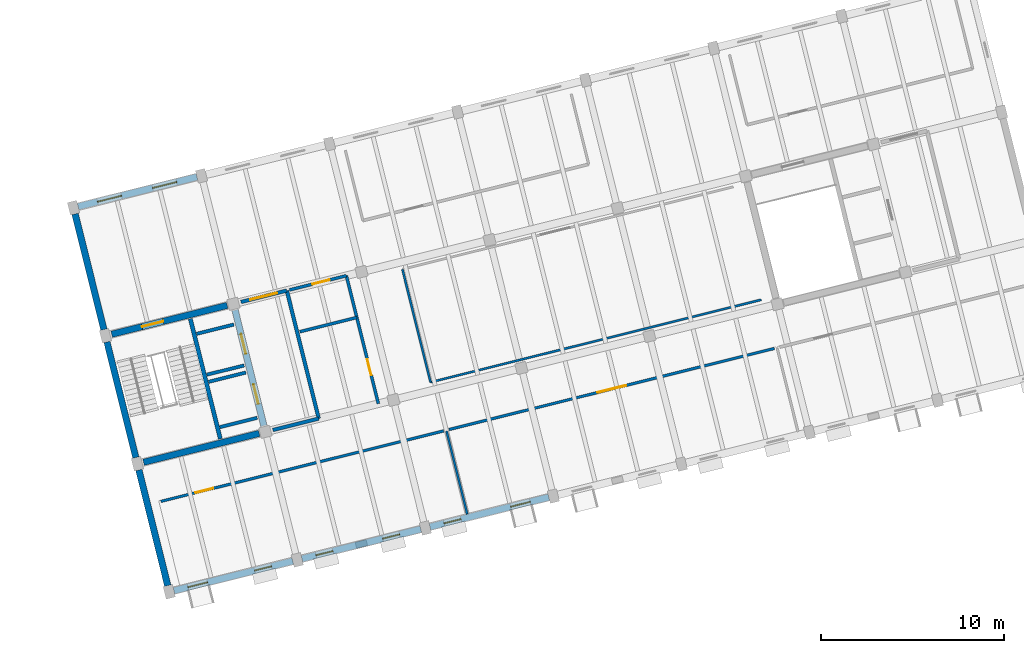
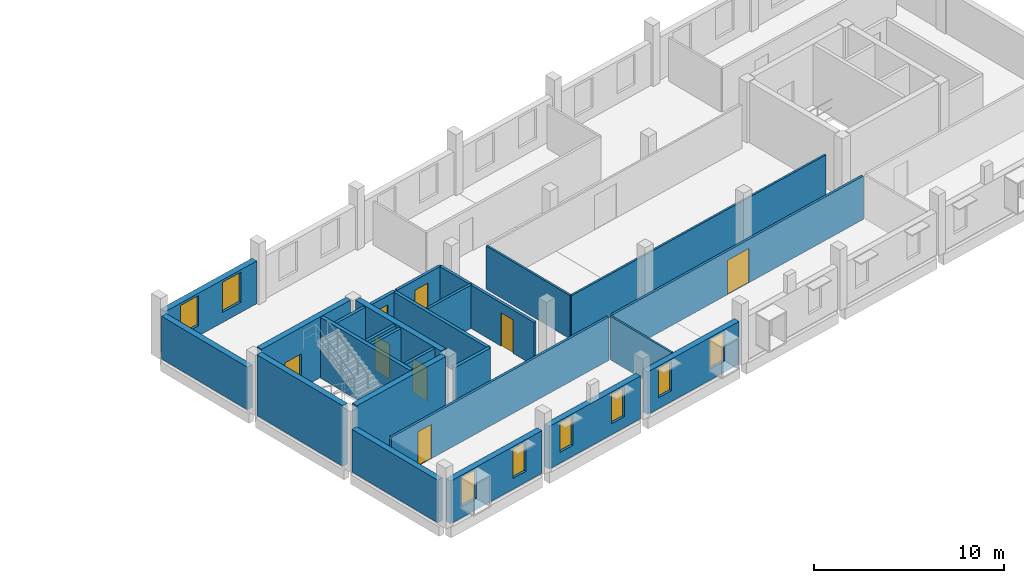
# One storey, part 6 of 14: 26 walls, 8 doors, 8 windows, 16 openings.
"""IFC4 building model written with IfcOpenShell, lengths in metres."""

from ifc_helpers import new_model, si_unit, direction, frame, frame_2d, origin, place, context, subcontext, project, spatial, rectangle, extrude, material, layer, layer_set, type_object, element, fill, save


model = new_model("IFC4")

# Units and contexts
model_context = context("Model", 3, precision=1e-05, world=origin(), true_north=direction((0.0, 1.0)))
body_context = subcontext(model_context, "Body", "Model", "MODEL_VIEW")
ifc_project = project(units=[si_unit("LENGTHUNIT", "METRE"), si_unit("AREAUNIT", "SQUARE_METRE"), si_unit("VOLUMEUNIT", "CUBIC_METRE"), si_unit("PLANEANGLEUNIT", "RADIAN"), si_unit("MASSUNIT", "GRAM", prefix="KILO")], contexts=[model_context])

# Site, building, storey
site_placement = place(None, origin())
site = spatial("IfcSite", under=ifc_project, at=site_placement, CompositionType="ELEMENT")
building_placement = place(site_placement, origin())
building = spatial("IfcBuilding", under=site, at=building_placement, Name="Qiaolan Assembly House", CompositionType="ELEMENT")
storey_placement = place(building_placement, frame((0.0, 0.0, 22.5)))
storey = spatial("IfcBuildingStorey", under=building, at=storey_placement, Name="L05", CompositionType="ELEMENT", Elevation=22.5)

# Wall
ifc_material_1 = material(Name="Concrete C40/50", Category="concrete")
ifc_layer_1 = layer(ifc_material_1, 0.35009765625)
ifc_layer_set_1 = layer_set([ifc_layer_1], Name="Concrete C40/50")
wall_type_1 = type_object("IfcWallType", Name="WAL-CORE-350", PredefinedType="SHEAR", material=ifc_layer_set_1)
wall_1_placement = place(storey_placement, frame((41.583984375, 8.812744140625, 0.0), z_axis=(0.0, 0.0, 1.0), x_axis=(0.970294759049, 0.241925774902, 0.0)))
element("IfcWall", 1, at=wall_1_placement, inside=storey, type_object=wall_type_1, Name="CW-350 shear core wall CORE-C S L05", PredefinedType="SHEAR", context=body_context, shape_type="SweptSolid", body=[
    extrude(rectangle(XDim=6.5, YDim=0.35009765625, at=frame_2d((3.25, 0.0))), origin(), (0.0, 0.0, 1.0), 3.89990234375),
])

# Wall, openings, doors
wall_2_placement = place(storey_placement, frame((48.145751953125, 10.809326171875, 0.0), z_axis=(0.0, 0.0, 1.0), x_axis=(-0.241925774902, 0.970294759049, 0.0)))
wall_2 = element("IfcWall", 2, at=wall_2_placement, inside=storey, type_object=wall_type_1, Name="CW-350 shear core wall CORE-C E L05", PredefinedType="SHEAR", context=body_context, shape_type="SweptSolid", body=[
    extrude(rectangle(XDim=6.5, YDim=0.35009765625, at=frame_2d((3.25, 0.0))), origin(), (0.0, 0.0, 1.0), 3.89990234375),
])
opening_1_placement = place(wall_2_placement, frame((1.22509765625, 0.0, 0.0)))
opening_1 = element("IfcOpeningElement", 3, at=opening_1_placement, cuts=wall_2, Name="Opening LD-051", PredefinedType="OPENING", context=body_context, shape_type="SweptSolid", body=[
    extrude(rectangle(XDim=1.10009765625, YDim=2.199951171875, at=frame_2d((0.550048828125, 1.10009765625))), frame((0.0, 0.18505859375, 0.0), z_axis=(0.0, -1.0, 0.0), x_axis=(1.0, 0.0, 0.0)), (0.0, 0.0, 1.0), 0.3701171875),
])
opening_2_placement = place(wall_2_placement, frame((4.050048828125, 0.0, 0.0)))
opening_2 = element("IfcOpeningElement", 4, at=opening_2_placement, cuts=wall_2, Name="Opening LD-057", PredefinedType="OPENING", context=body_context, shape_type="SweptSolid", body=[
    extrude(rectangle(XDim=1.10009765625, YDim=2.199951171875, at=frame_2d((0.550048828125, 1.10009765625))), frame((0.0, 0.18505859375, 0.0), z_axis=(0.0, -1.0, 0.0), x_axis=(1.0, 0.0, 0.0)), (0.0, 0.0, 1.0), 0.3701171875),
])
ifc_material_2 = material(Name="Anodised bronze aluminium", Category="aluminium")
door_type_1 = type_object("IfcDoorType", Name="DOR-LIFT-LD1100", OperationType="SLIDING_TO_LEFT", PredefinedType="DOOR", material=ifc_material_2)
door_1_placement = place(opening_1_placement, origin())
door_1 = element("IfcDoor", 5, at=door_1_placement, inside=storey, type_object=door_type_1, Name="Lift landing door LD-051 (LF-06 L05)", OperationType="SLIDING_TO_LEFT", OverallHeight=2.199951171875, OverallWidth=1.10009765625, PredefinedType="DOOR", context=body_context, shape_type="SweptSolid", body=[
    extrude(rectangle(XDim=1.10009765625, YDim=2.199951171875, at=frame_2d((0.550048828125, 1.10009765625))), frame((0.0, 0.02490234375, 0.0), z_axis=(0.0, -1.0, 0.0), x_axis=(1.0, 0.0, 0.0)), (0.0, 0.0, 1.0), 0.050048828125),
])
fill(opening_1, door_1)
door_2_placement = place(opening_2_placement, origin())
door_2 = element("IfcDoor", 6, at=door_2_placement, inside=storey, type_object=door_type_1, Name="Lift landing door LD-057 (LF-07 L05)", OperationType="SLIDING_TO_LEFT", OverallHeight=2.199951171875, OverallWidth=1.10009765625, PredefinedType="DOOR", context=body_context, shape_type="SweptSolid", body=[
    extrude(rectangle(XDim=1.10009765625, YDim=2.199951171875, at=frame_2d((0.550048828125, 1.10009765625))), frame((0.0, 0.02490234375, 0.0), z_axis=(0.0, -1.0, 0.0), x_axis=(1.0, 0.0, 0.0)), (0.0, 0.0, 1.0), 0.050048828125),
])
fill(opening_2, door_2)

# Wall, opening, door
wall_3_placement = place(storey_placement, frame((46.14892578125, 17.371337890625, 0.0), z_axis=(0.0, 0.0, 1.0), x_axis=(-0.970294759049, -0.241925774902, 0.0)))
wall_3 = element("IfcWall", 7, at=wall_3_placement, inside=storey, type_object=wall_type_1, Name="CW-350 shear core wall CORE-C N L05", PredefinedType="SHEAR", context=body_context, shape_type="SweptSolid", body=[
    extrude(rectangle(XDim=6.5, YDim=0.35009765625, at=frame_2d((3.25, 0.0))), origin(), (0.0, 0.0, 1.0), 3.89990234375),
])
opening_3_placement = place(wall_3_placement, frame((3.60009765625, 0.0, 0.0)))
opening_3 = element("IfcOpeningElement", 8, at=opening_3_placement, cuts=wall_3, Name="Opening FD-091", PredefinedType="OPENING", context=body_context, shape_type="SweptSolid", body=[
    extrude(rectangle(XDim=1.199951171875, YDim=2.199951171875, at=frame_2d((0.60009765625, 1.10009765625))), frame((0.0, 0.18505859375, 0.0), z_axis=(0.0, -1.0, 0.0), x_axis=(1.0, 0.0, 0.0)), (0.0, 0.0, 1.0), 0.3701171875),
])
ifc_material_3 = material(Name="Steel Q355B", Category="steel")
door_type_2 = type_object("IfcDoorType", Name="DOR-FIRE-FD90-1200", OperationType="NOTDEFINED", PredefinedType="DOOR", material=ifc_material_3)
door_3_placement = place(opening_3_placement, frame((1.199951171875, 0.0, 0.0), z_axis=(0.0, 0.0, 1.0), x_axis=(-1.0, 0.0, 0.0)))
door_3 = element("IfcDoor", 9, at=door_3_placement, inside=storey, type_object=door_type_2, Name="Stairwell fire door FD-091 (CORE-C L05)", OperationType="SINGLE_SWING_RIGHT", OverallHeight=2.199951171875, OverallWidth=1.199951171875, PredefinedType="DOOR", context=body_context, shape_type="SweptSolid", body=[
    extrude(rectangle(XDim=1.199951171875, YDim=2.199951171875, at=frame_2d((0.60009765625, 1.10009765625))), frame((0.0, 0.02490234375, 0.0), z_axis=(0.0, -1.0, 0.0), x_axis=(1.0, 0.0, 0.0)), (0.0, 0.0, 1.0), 0.050048828125),
])
fill(opening_3, door_3)

# Wall
wall_4_placement = place(storey_placement, frame((39.587158203125, 15.37451171875, 0.0), z_axis=(0.0, 0.0, 1.0), x_axis=(0.241925774902, -0.970294759049, 0.0)))
element("IfcWall", 10, at=wall_4_placement, inside=storey, type_object=wall_type_1, Name="CW-350 shear core wall CORE-C W L05", PredefinedType="SHEAR", context=body_context, shape_type="SweptSolid", body=[
    extrude(rectangle(XDim=6.5, YDim=0.35009765625, at=frame_2d((3.25, 0.0))), origin(), (0.0, 0.0, 1.0), 3.89990234375),
])

# Wall, openings, windows
ifc_material_4 = material(Name="Honed pale limestone", Category="masonry")
ifc_layer_2 = layer(ifc_material_4, 0.360107421875)
ifc_layer_set_2 = layer_set([ifc_layer_2], Name="Honed pale limestone")
wall_type_2 = type_object("IfcWallType", Name="WAL-EXT-LIMESTONE-360", PredefinedType="SOLIDWALL", material=ifc_layer_set_2)
wall_5_placement = place(storey_placement, frame((43.236572265625, 1.80419921875, 0.0), z_axis=(0.0, 0.0, 1.0), x_axis=(0.970297004388, 0.241916769314, 0.0)))
wall_5 = element("IfcWall", 11, at=wall_5_placement, inside=storey, type_object=wall_type_2, Name="EW-360 SE South boulevard wall L05 bay 1", PredefinedType="SOLIDWALL", context=body_context, shape_type="SweptSolid", body=[
    extrude(rectangle(XDim=6.683837890625, YDim=0.360107421875, at=frame_2d((3.341796875, 0.0))), origin(), (0.0, 0.0, 1.0), 2.739990234375),
])
opening_4_placement = place(wall_5_placement, frame((0.7919921875, 0.0, 0.699951171875)))
opening_4 = element("IfcOpeningElement", 12, at=opening_4_placement, cuts=wall_5, Name="Opening WN-370", PredefinedType="OPENING", context=body_context, shape_type="SweptSolid", body=[
    extrude(rectangle(XDim=1.10009765625, YDim=1.889892578125, at=frame_2d((0.550048828125, 0.94482421875))), frame((0.0, 0.18994140625, 0.0), z_axis=(0.0, -1.0, 0.0), x_axis=(1.0, 0.0, 0.0)), (0.0, 0.0, 1.0), 0.380126953125),
])
opening_5_placement = place(wall_5_placement, frame((4.5419921875, 0.0, 0.699951171875)))
opening_5 = element("IfcOpeningElement", 13, at=opening_5_placement, cuts=wall_5, Name="Opening WN-371", PredefinedType="OPENING", context=body_context, shape_type="SweptSolid", body=[
    extrude(rectangle(XDim=0.949951171875, YDim=1.889892578125, at=frame_2d((0.47509765625, 0.94482421875))), frame((0.0, 0.18994140625, 0.0), z_axis=(0.0, -1.0, 0.0), x_axis=(1.0, 0.0, 0.0)), (0.0, 0.0, 1.0), 0.380126953125),
])
ifc_material_5 = material(Name="Low-E double insulating glass", Category="glass")
window_type_1 = type_object("IfcWindowType", Name="WIN-BOX-1100x2350", PartitioningType="SINGLE_PANEL", PredefinedType="WINDOW", material=ifc_material_5)
window_1_placement = place(opening_4_placement, origin())
window_1 = element("IfcWindow", 14, at=window_1_placement, inside=storey, type_object=window_type_1, Name="WN-T11 splayed window WN-370", OverallHeight=1.889892578125, OverallWidth=1.10009765625, PartitioningType="SINGLE_PANEL", PredefinedType="WINDOW", context=body_context, shape_type="SweptSolid", body=[
    extrude(rectangle(XDim=1.10009765625, YDim=1.889892578125, at=frame_2d((0.550048828125, 0.94482421875))), frame((0.0, 0.030029296875, 0.0), z_axis=(0.0, -1.0, 0.0), x_axis=(1.0, 0.0, 0.0)), (0.0, 0.0, 1.0), 0.06005859375),
])
fill(opening_4, window_1)
window_type_2 = type_object("IfcWindowType", Name="WIN-PUNCH-950x2150", PartitioningType="SINGLE_PANEL", PredefinedType="WINDOW", material=ifc_material_5)
window_2_placement = place(opening_5_placement, origin())
window_2 = element("IfcWindow", 15, at=window_2_placement, inside=storey, type_object=window_type_2, Name="WN-T14 splayed window WN-371", OverallHeight=1.889892578125, OverallWidth=0.949951171875, PartitioningType="SINGLE_PANEL", PredefinedType="WINDOW", context=body_context, shape_type="SweptSolid", body=[
    extrude(rectangle(XDim=0.949951171875, YDim=1.889892578125, at=frame_2d((0.47509765625, 0.94482421875))), frame((0.0, 0.030029296875, 0.0), z_axis=(0.0, -1.0, 0.0), x_axis=(1.0, 0.0, 0.0)), (0.0, 0.0, 1.0), 0.06005859375),
])
fill(opening_5, window_2)

wall_6_placement = place(storey_placement, frame((50.22265625, 3.546142578125, 0.0), z_axis=(0.0, 0.0, 1.0), x_axis=(0.970297004388, 0.241916769314, 0.0)))
wall_6 = element("IfcWall", 16, at=wall_6_placement, inside=storey, type_object=wall_type_2, Name="EW-360 SE South boulevard wall L05 bay 2", PredefinedType="SOLIDWALL", context=body_context, shape_type="SweptSolid", body=[
    extrude(rectangle(XDim=6.683837890625, YDim=0.360107421875, at=frame_2d((3.341796875, 0.0))), origin(), (0.0, 0.0, 1.0), 2.739990234375),
])
opening_6_placement = place(wall_6_placement, frame((0.7919921875, 0.0, 0.699951171875)))
opening_6 = element("IfcOpeningElement", 17, at=opening_6_placement, cuts=wall_6, Name="Opening WN-372", PredefinedType="OPENING", context=body_context, shape_type="SweptSolid", body=[
    extrude(rectangle(XDim=0.949951171875, YDim=1.889892578125, at=frame_2d((0.47509765625, 0.94482421875))), frame((0.0, 0.18994140625, 0.0), z_axis=(0.0, -1.0, 0.0), x_axis=(1.0, 0.0, 0.0)), (0.0, 0.0, 1.0), 0.380126953125),
])
opening_7_placement = place(wall_6_placement, frame((4.5419921875, 0.0, 0.699951171875)))
opening_7 = element("IfcOpeningElement", 18, at=opening_7_placement, cuts=wall_6, Name="Opening WN-373", PredefinedType="OPENING", context=body_context, shape_type="SweptSolid", body=[
    extrude(rectangle(XDim=0.949951171875, YDim=1.889892578125, at=frame_2d((0.47509765625, 0.94482421875))), frame((0.0, 0.18994140625, 0.0), z_axis=(0.0, -1.0, 0.0), x_axis=(1.0, 0.0, 0.0)), (0.0, 0.0, 1.0), 0.380126953125),
])
window_3_placement = place(opening_6_placement, origin())
window_3 = element("IfcWindow", 19, at=window_3_placement, inside=storey, type_object=window_type_2, Name="WN-T14 splayed window WN-372", OverallHeight=1.889892578125, OverallWidth=0.949951171875, PartitioningType="SINGLE_PANEL", PredefinedType="WINDOW", context=body_context, shape_type="SweptSolid", body=[
    extrude(rectangle(XDim=0.949951171875, YDim=1.889892578125, at=frame_2d((0.47509765625, 0.94482421875))), frame((0.0, 0.030029296875, 0.0), z_axis=(0.0, -1.0, 0.0), x_axis=(1.0, 0.0, 0.0)), (0.0, 0.0, 1.0), 0.06005859375),
])
fill(opening_6, window_3)
window_4_placement = place(opening_7_placement, origin())
window_4 = element("IfcWindow", 20, at=window_4_placement, inside=storey, type_object=window_type_2, Name="WN-T14 splayed window WN-373", OverallHeight=1.889892578125, OverallWidth=0.949951171875, PartitioningType="SINGLE_PANEL", PredefinedType="WINDOW", context=body_context, shape_type="SweptSolid", body=[
    extrude(rectangle(XDim=0.949951171875, YDim=1.889892578125, at=frame_2d((0.47509765625, 0.94482421875))), frame((0.0, 0.030029296875, 0.0), z_axis=(0.0, -1.0, 0.0), x_axis=(1.0, 0.0, 0.0)), (0.0, 0.0, 1.0), 0.06005859375),
])
fill(opening_7, window_4)

wall_7_placement = place(storey_placement, frame((57.208740234375, 5.287841796875, 0.0), z_axis=(0.0, 0.0, 1.0), x_axis=(0.970288429886, 0.241951157942, 0.0)))
wall_7 = element("IfcWall", 21, at=wall_7_placement, inside=storey, type_object=wall_type_2, Name="EW-360 SE South boulevard wall L05 bay 3", PredefinedType="SOLIDWALL", context=body_context, shape_type="SweptSolid", body=[
    extrude(rectangle(XDim=6.683837890625, YDim=0.360107421875, at=frame_2d((3.341796875, 0.0))), origin(), (0.0, 0.0, 1.0), 2.739990234375),
])
opening_8_placement = place(wall_7_placement, frame((0.7919921875, 0.0, 0.699951171875)))
opening_8 = element("IfcOpeningElement", 22, at=opening_8_placement, cuts=wall_7, Name="Opening WN-374", PredefinedType="OPENING", context=body_context, shape_type="SweptSolid", body=[
    extrude(rectangle(XDim=0.949951171875, YDim=1.889892578125, at=frame_2d((0.47509765625, 0.94482421875))), frame((0.0, 0.18994140625, 0.0), z_axis=(0.0, -1.0, 0.0), x_axis=(1.0, 0.0, 0.0)), (0.0, 0.0, 1.0), 0.380126953125),
])
opening_9_placement = place(wall_7_placement, frame((4.5419921875, 0.0, 0.699951171875)))
opening_9 = element("IfcOpeningElement", 23, at=opening_9_placement, cuts=wall_7, Name="Opening WN-375", PredefinedType="OPENING", context=body_context, shape_type="SweptSolid", body=[
    extrude(rectangle(XDim=1.10009765625, YDim=1.889892578125, at=frame_2d((0.550048828125, 0.94482421875))), frame((0.0, 0.18994140625, 0.0), z_axis=(0.0, -1.0, 0.0), x_axis=(1.0, 0.0, 0.0)), (0.0, 0.0, 1.0), 0.380126953125),
])
window_5_placement = place(opening_9_placement, origin())
window_5 = element("IfcWindow", 24, at=window_5_placement, inside=storey, type_object=window_type_1, Name="WN-T11 splayed window WN-375", OverallHeight=1.889892578125, OverallWidth=1.10009765625, PartitioningType="SINGLE_PANEL", PredefinedType="WINDOW", context=body_context, shape_type="SweptSolid", body=[
    extrude(rectangle(XDim=1.10009765625, YDim=1.889892578125, at=frame_2d((0.550048828125, 0.94482421875))), frame((0.0, 0.030029296875, 0.0), z_axis=(0.0, -1.0, 0.0), x_axis=(1.0, 0.0, 0.0)), (0.0, 0.0, 1.0), 0.06005859375),
])
fill(opening_9, window_5)
window_6_placement = place(opening_8_placement, origin())
window_6 = element("IfcWindow", 25, at=window_6_placement, inside=storey, type_object=window_type_2, Name="WN-T14 splayed window WN-374", OverallHeight=1.889892578125, OverallWidth=0.949951171875, PartitioningType="SINGLE_PANEL", PredefinedType="WINDOW", context=body_context, shape_type="SweptSolid", body=[
    extrude(rectangle(XDim=0.949951171875, YDim=1.889892578125, at=frame_2d((0.47509765625, 0.94482421875))), frame((0.0, 0.030029296875, 0.0), z_axis=(0.0, -1.0, 0.0), x_axis=(1.0, 0.0, 0.0)), (0.0, 0.0, 1.0), 0.06005859375),
])
fill(opening_8, window_6)

wall_8_placement = place(storey_placement, frame((44.496337890625, 24.379638671875, 0.0), z_axis=(0.0, 0.0, 1.0), x_axis=(-0.970297004388, -0.241916769314, 0.0)))
wall_8 = element("IfcWall", 26, at=wall_8_placement, inside=storey, type_object=wall_type_2, Name="EW-360 SE North court wall L05 bay 1", PredefinedType="SOLIDWALL", context=body_context, shape_type="SweptSolid", body=[
    extrude(rectangle(XDim=6.683837890625, YDim=0.360107421875, at=frame_2d((3.341796875, 0.0))), origin(), (0.0, 0.0, 1.0), 2.739990234375),
])
opening_10_placement = place(wall_8_placement, frame((1.14208984375, 0.0, 0.64990234375)))
opening_10 = element("IfcOpeningElement", 27, at=opening_10_placement, cuts=wall_8, Name="Opening WN-384", PredefinedType="OPENING", context=body_context, shape_type="SweptSolid", body=[
    extrude(rectangle(XDim=1.35009765625, YDim=1.93994140625, at=frame_2d((0.675048828125, 0.969970703125))), frame((0.0, 0.18994140625, 0.0), z_axis=(0.0, -1.0, 0.0), x_axis=(1.0, 0.0, 0.0)), (0.0, 0.0, 1.0), 0.380126953125),
])
opening_11_placement = place(wall_8_placement, frame((4.241943359375, 0.0, 0.64990234375)))
opening_11 = element("IfcOpeningElement", 28, at=opening_11_placement, cuts=wall_8, Name="Opening WN-385", PredefinedType="OPENING", context=body_context, shape_type="SweptSolid", body=[
    extrude(rectangle(XDim=1.35009765625, YDim=1.93994140625, at=frame_2d((0.675048828125, 0.969970703125))), frame((0.0, 0.18994140625, 0.0), z_axis=(0.0, -1.0, 0.0), x_axis=(1.0, 0.0, 0.0)), (0.0, 0.0, 1.0), 0.380126953125),
])
window_type_3 = type_object("IfcWindowType", Name="WIN-COURT-1350x2150", PartitioningType="DOUBLE_PANEL_VERTICAL", PredefinedType="WINDOW", material=ifc_material_5)
window_7_placement = place(opening_10_placement, origin())
window_7 = element("IfcWindow", 29, at=window_7_placement, inside=storey, type_object=window_type_3, Name="SE court window WN-384", OverallHeight=1.93994140625, OverallWidth=1.35009765625, PartitioningType="DOUBLE_PANEL_VERTICAL", PredefinedType="WINDOW", context=body_context, shape_type="SweptSolid", body=[
    extrude(rectangle(XDim=1.35009765625, YDim=1.93994140625, at=frame_2d((0.675048828125, 0.969970703125))), frame((0.0, 0.030029296875, 0.0), z_axis=(0.0, -1.0, 0.0), x_axis=(1.0, 0.0, 0.0)), (0.0, 0.0, 1.0), 0.06005859375),
])
fill(opening_10, window_7)
window_8_placement = place(opening_11_placement, origin())
window_8 = element("IfcWindow", 30, at=window_8_placement, inside=storey, type_object=window_type_3, Name="SE court window WN-385", OverallHeight=1.93994140625, OverallWidth=1.35009765625, PartitioningType="DOUBLE_PANEL_VERTICAL", PredefinedType="WINDOW", context=body_context, shape_type="SweptSolid", body=[
    extrude(rectangle(XDim=1.35009765625, YDim=1.93994140625, at=frame_2d((0.675048828125, 0.969970703125))), frame((0.0, 0.030029296875, 0.0), z_axis=(0.0, -1.0, 0.0), x_axis=(1.0, 0.0, 0.0)), (0.0, 0.0, 1.0), 0.06005859375),
])
fill(opening_11, window_8)

# Walls
for number, where, z_axis, x_axis, name in (
    (31, (41.328369140625, 8.390380859375, 0.0), (0.0, 0.0, 1.0), (0.241926152475, -0.970294664908, 0.0), "SE West wall L05-1"),
    (32, (37.8447265625, 22.362548828125, 0.0), (0.0, 0.0, 1.0), (0.241926152475, -0.970294664908, 0.0), "SE West wall L05-3"),
):
    element("IfcWall", number, at=place(storey_placement, frame(where, z_axis=z_axis, x_axis=x_axis)), inside=storey, type_object=wall_type_2, Name=name, PredefinedType="SOLIDWALL", context=body_context, shape_type="SweptSolid", body=[
        extrude(rectangle(XDim=6.50390625, YDim=0.360107421875, at=frame_2d((3.251953125, 0.0))), origin(), (0.0, 0.0, 1.0), 2.739990234375),
    ])
ifc_material_6 = material(Name="Concrete C35/45", Category="concrete")
ifc_layer_3 = layer(ifc_material_6, 0.199951171875)
ifc_layer_set_3 = layer_set([ifc_layer_3], Name="Concrete C35/45")
wall_type_3 = type_object("IfcWallType", Name="WAL-LOBBY-200", PredefinedType="PARTITIONING", material=ifc_layer_set_3)
wall_9_placement = place(storey_placement, frame((51.141357421875, 11.195556640625, 0.0), z_axis=(0.0, 0.0, 1.0), x_axis=(-0.241937193493, 0.970291911955, 0.0)))
element("IfcWall", 33, at=wall_9_placement, inside=storey, type_object=wall_type_3, Name="Firefighting lift lobby east wall CORE-C L05", PredefinedType="PARTITIONING", context=body_context, shape_type="SweptSolid", body=[
    extrude(rectangle(XDim=7.199951171875, YDim=0.199951171875, at=frame_2d((3.60009765625, 0.0))), origin(), (0.0, 0.0, 1.0), 2.780029296875),
])
wall_10_placement = place(storey_placement, frame((48.637939453125, 10.571533203125, 0.0), z_axis=(0.0, 0.0, 1.0), x_axis=(0.970309259708, 0.2418676095, 0.0)))
element("IfcWall", 34, at=wall_10_placement, inside=storey, type_object=wall_type_3, Name="Firefighting lift lobby south wall CORE-C L05", PredefinedType="PARTITIONING", context=body_context, shape_type="SweptSolid", body=[
    extrude(rectangle(XDim=2.580078125, YDim=0.199951171875, at=frame_2d((1.2900390625, 0.0))), origin(), (0.0, 0.0, 1.0), 2.780029296875),
])

# Wall, opening, door
wall_11_placement = place(storey_placement, frame((49.3994140625, 18.181640625, 0.0), z_axis=(0.0, 0.0, 1.0), x_axis=(-0.970309259708, -0.2418676095, 0.0)))
wall_11 = element("IfcWall", 35, at=wall_11_placement, inside=storey, type_object=wall_type_3, Name="Firefighting lift lobby north wall CORE-C L05", PredefinedType="PARTITIONING", context=body_context, shape_type="SweptSolid", body=[
    extrude(rectangle(XDim=2.580078125, YDim=0.199951171875, at=frame_2d((1.2900390625, 0.0))), origin(), (0.0, 0.0, 1.0), 2.780029296875),
])
opening_12_placement = place(wall_11_placement, frame((0.550048828125, 0.0, 0.0)))
opening_12 = element("IfcOpeningElement", 36, at=opening_12_placement, cuts=wall_11, Name="Opening FD-092", PredefinedType="OPENING", context=body_context, shape_type="SweptSolid", body=[
    extrude(rectangle(XDim=1.5, YDim=2.199951171875, at=frame_2d((0.75, 1.10009765625))), frame((0.0, 0.10986328125, 0.0), z_axis=(0.0, -1.0, 0.0), x_axis=(1.0, 0.0, 0.0)), (0.0, 0.0, 1.0), 0.219970703125),
])
ifc_material_7 = material(Name="Acoustic oak panelling")
door_type_3 = type_object("IfcDoorType", Name="DOR-LOBBY-FD60-1500", OperationType="DOUBLE_DOOR_SINGLE_SWING", PredefinedType="DOOR", material=ifc_material_7)
door_4_placement = place(opening_12_placement, frame((1.5, 0.0, 0.0), z_axis=(0.0, 0.0, 1.0), x_axis=(-1.0, 0.0, 0.0)))
door_4 = element("IfcDoor", 37, at=door_4_placement, inside=storey, type_object=door_type_3, Name="Lobby corridor fire door FD-092", OperationType="DOUBLE_DOOR_SINGLE_SWING", OverallHeight=2.199951171875, OverallWidth=1.5, PredefinedType="DOOR", context=body_context, shape_type="SweptSolid", body=[
    extrude(rectangle(XDim=1.5, YDim=2.199951171875, at=frame_2d((0.75, 1.10009765625))), frame((0.0, 0.02490234375, 0.0), z_axis=(0.0, -1.0, 0.0), x_axis=(1.0, 0.0, 0.0)), (0.0, 0.0, 1.0), 0.050048828125),
])
fill(opening_12, door_4)

# Walls
ifc_material_8 = material(Name="Gypsum plasterboard partition")
ifc_layer_4 = layer(ifc_material_8, 0.1201171875)
ifc_layer_set_4 = layer_set([ifc_layer_4], Name="Gypsum plasterboard partition")
wall_type_4 = type_object("IfcWallType", Name="WAL-PART-120", PredefinedType="PARTITIONING", material=ifc_layer_set_4)
wall_12_placement = place(storey_placement, frame((59.24365234375, 5.980712890625, 0.0), z_axis=(0.0, 0.0, 1.0), x_axis=(-0.241945139998, 0.970289930501, 0.0)))
element("IfcWall", 38, at=wall_12_placement, inside=storey, type_object=wall_type_4, Name="Administrative Review Hearing Chamber demising wall", PredefinedType="PARTITIONING", context=body_context, shape_type="SweptSolid", body=[
    extrude(rectangle(XDim=4.669921875, YDim=0.1201171875, at=frame_2d((2.3349609375, 0.0))), origin(), (0.0, 0.0, 1.0), 2.780029296875),
])
wall_13_placement = place(storey_placement, frame((57.242431640625, 13.180419921875, 0.0), z_axis=(0.0, 0.0, 1.0), x_axis=(0.970295185925, 0.24192406282, 0.0)))
element("IfcWall", 39, at=wall_13_placement, inside=storey, type_object=wall_type_4, Name="Public Audit Case Review Room south partition", PredefinedType="PARTITIONING", context=body_context, shape_type="SweptSolid", body=[
    extrude(rectangle(XDim=18.599853515625, YDim=0.1201171875, at=frame_2d((9.2998046875, 0.0))), origin(), (0.0, 0.0, 1.0), 2.780029296875),
])
wall_14_placement = place(storey_placement, frame((57.242431640625, 13.180419921875, 0.0), z_axis=(0.0, 0.0, 1.0), x_axis=(-0.241947566099, 0.970289325541, 0.0)))
element("IfcWall", 40, at=wall_14_placement, inside=storey, type_object=wall_type_4, Name="Public Audit Case Review Room west partition", PredefinedType="PARTITIONING", context=body_context, shape_type="SweptSolid", body=[
    extrude(rectangle(XDim=6.35009765625, YDim=0.1201171875, at=frame_2d((3.175048828125, 0.0))), origin(), (0.0, 0.0, 1.0), 2.780029296875),
])

# Wall, opening, door
ifc_layer_5 = layer(ifc_material_8, 0.14990234375)
ifc_layer_set_5 = layer_set([ifc_layer_5], Name="Gypsum plasterboard partition")
wall_type_5 = type_object("IfcWallType", Name="WAL-PART-150", PredefinedType="PARTITIONING", material=ifc_layer_set_5)
wall_15_placement = place(storey_placement, frame((42.5283203125, 6.677734375, 0.0), z_axis=(0.0, 0.0, 1.0), x_axis=(0.970297655112, 0.241914159329, 0.0)))
wall_15 = element("IfcWall", 41, at=wall_15_placement, inside=storey, type_object=wall_type_5, Name="Civic Ombudsman & Public Audit Directorate north wall", PredefinedType="PARTITIONING", context=body_context, shape_type="SweptSolid", body=[
    extrude(rectangle(XDim=15.89990234375, YDim=0.14990234375, at=frame_2d((7.949951171875, 0.0))), origin(), (0.0, 0.0, 1.0), 2.780029296875),
])
opening_13_placement = place(wall_15_placement, frame((1.949951171875, 0.0, 0.0)))
opening_13 = element("IfcOpeningElement", 42, at=opening_13_placement, cuts=wall_15, Name="Opening SD-268", PredefinedType="OPENING", context=body_context, shape_type="SweptSolid", body=[
    extrude(rectangle(XDim=1.0, YDim=2.199951171875, at=frame_2d((0.5, 1.10009765625))), frame((0.0, 0.0849609375, 0.0), z_axis=(0.0, -1.0, 0.0), x_axis=(1.0, 0.0, 0.0)), (0.0, 0.0, 1.0), 0.169921875),
])
door_type_4 = type_object("IfcDoorType", Name="DOR-OFF-SGL-1000", OperationType="NOTDEFINED", PredefinedType="DOOR", material=ifc_material_7)
door_5_placement = place(opening_13_placement, origin())
door_5 = element("IfcDoor", 43, at=door_5_placement, inside=storey, type_object=door_type_4, Name="Civic Ombudsman & Public Audit Directorate door SD-268", OperationType="SINGLE_SWING_RIGHT", OverallHeight=2.199951171875, OverallWidth=1.0, PredefinedType="DOOR", context=body_context, shape_type="SweptSolid", body=[
    extrude(rectangle(XDim=1.0, YDim=2.199951171875, at=frame_2d((0.5, 1.10009765625))), frame((0.0, 0.02490234375, 0.0), z_axis=(0.0, -1.0, 0.0), x_axis=(1.0, 0.0, 0.0)), (0.0, 0.0, 1.0), 0.050048828125),
])
fill(opening_13, door_5)

wall_16_placement = place(storey_placement, frame((58.247314453125, 10.596923828125, 0.0), z_axis=(0.0, 0.0, 1.0), x_axis=(0.97029768554, 0.241914037287, 0.0)))
wall_16 = element("IfcWall", 44, at=wall_16_placement, inside=storey, type_object=wall_type_5, Name="Administrative Review Hearing Chamber north wall", PredefinedType="PARTITIONING", context=body_context, shape_type="SweptSolid", body=[
    extrude(rectangle(XDim=18.2998046875, YDim=0.14990234375, at=frame_2d((9.14990234375, 0.0))), origin(), (0.0, 0.0, 1.0), 2.780029296875),
])
opening_14_placement = place(wall_16_placement, frame((8.35009765625, 0.0, 0.0)))
opening_14 = element("IfcOpeningElement", 45, at=opening_14_placement, cuts=wall_16, Name="Opening SD-269", PredefinedType="OPENING", context=body_context, shape_type="SweptSolid", body=[
    extrude(rectangle(XDim=1.60009765625, YDim=2.199951171875, at=frame_2d((0.800048828125, 1.10009765625))), frame((0.0, 0.0849609375, 0.0), z_axis=(0.0, -1.0, 0.0), x_axis=(1.0, 0.0, 0.0)), (0.0, 0.0, 1.0), 0.169921875),
])
door_type_5 = type_object("IfcDoorType", Name="DOR-COMM-DBL-1600", OperationType="DOUBLE_DOOR_SINGLE_SWING", PredefinedType="DOOR", material=ifc_material_7)
door_6_placement = place(opening_14_placement, origin())
door_6 = element("IfcDoor", 46, at=door_6_placement, inside=storey, type_object=door_type_5, Name="Administrative Review Hearing Chamber door SD-269", OperationType="DOUBLE_DOOR_SINGLE_SWING", OverallHeight=2.199951171875, OverallWidth=1.60009765625, PredefinedType="DOOR", context=body_context, shape_type="SweptSolid", body=[
    extrude(rectangle(XDim=1.60009765625, YDim=2.199951171875, at=frame_2d((0.800048828125, 1.10009765625))), frame((0.0, 0.02490234375, 0.0), z_axis=(0.0, -1.0, 0.0), x_axis=(1.0, 0.0, 0.0)), (0.0, 0.0, 1.0), 0.050048828125),
])
fill(opening_14, door_6)

# Walls
ifc_layer_6 = layer(ifc_material_6, 0.18505859375)
ifc_layer_set_6 = layer_set([ifc_layer_6], Name="Concrete C35/45")
wall_type_6 = type_object("IfcWallType", Name="WAL-SHAFT-200", PredefinedType="PARTITIONING", material=ifc_layer_set_6)
for number, where, z_axis, x_axis, name in (
    (47, (45.74462890625, 10.72607421875, 0.0), (0.0, 0.0, 1.0), (0.970292765557, 0.241933770084, 0.0), "SW-200 lift shaft wall LF-06 L05 DIVS"),
    (48, (45.127685546875, 13.2001953125, 0.0), (0.0, 0.0, 1.0), (0.970292765557, 0.241933770084, 0.0), "SW-200 lift shaft wall LF-06 L05 DIVN"),
    (49, (45.031005859375, 13.58837890625, 0.0), (0.0, 0.0, 1.0), (0.970292765557, 0.241933770084, 0.0), "SW-200 lift shaft wall LF-07 L05 DIVS"),
    (50, (44.474609375, 15.820068359375, 0.0), (0.0, 0.0, 1.0), (0.970292765557, 0.241933770084, 0.0), "SW-200 lift shaft wall LF-07 L05 DIVN"),
):
    element("IfcWall", number, at=place(storey_placement, frame(where, z_axis=z_axis, x_axis=x_axis)), inside=storey, type_object=wall_type_6, Name=name, PredefinedType="PARTITIONING", context=body_context, shape_type="SweptSolid", body=[
        extrude(rectangle(XDim=2.10009765625, YDim=0.18505859375, at=frame_2d((1.050048828125, 0.0))), origin(), (0.0, 0.0, 1.0), 3.89990234375),
    ])
ifc_layer_7 = layer(ifc_material_1, 0.22509765625)
ifc_layer_set_7 = layer_set([ifc_layer_7], Name="Concrete C40/50")
wall_type_7 = type_object("IfcWallType", Name="WAL-STAIR-DIV-225", PredefinedType="SHEAR", material=ifc_layer_set_7)
wall_17_placement = place(storey_placement, frame((45.770751953125, 10.083251953125, 0.0), z_axis=(0.0, 0.0, 1.0), x_axis=(-0.241898249226, 0.970301621673, 0.0)))
element("IfcWall", 51, at=wall_17_placement, inside=storey, type_object=wall_type_7, Name="SDW-225 stairwell structural spine wall CORE-C L05", PredefinedType="SHEAR", context=body_context, shape_type="SweptSolid", body=[
    extrude(rectangle(XDim=6.760009765625, YDim=0.22509765625, at=frame_2d((3.3798828125, 0.0))), origin(), (0.0, 0.0, 1.0), 3.89990234375),
])

# Wall, opening, door
ifc_material_9 = material(Name="Concrete C30/37", Category="concrete")
ifc_layer_8 = layer(ifc_material_9, 0.1650390625)
ifc_layer_set_8 = layer_set([ifc_layer_8], Name="Concrete C30/37")
wall_type_8 = type_object("IfcWallType", Name="WAL-WET-150", PredefinedType="PARTITIONING", material=ifc_layer_set_8)
wall_18_placement = place(storey_placement, frame((54.391845703125, 12.006103515625, 0.0), z_axis=(0.0, 0.0, 1.0), x_axis=(-0.241937193493, 0.970291911955, 0.0)))
wall_18 = element("IfcWall", 52, at=wall_18_placement, inside=storey, type_object=wall_type_8, Name="Public WC east wall CORE-C L05", PredefinedType="PARTITIONING", context=body_context, shape_type="SweptSolid", body=[
    extrude(rectangle(XDim=7.199951171875, YDim=0.1650390625, at=frame_2d((3.60009765625, 0.0))), origin(), (0.0, 0.0, 1.0), 2.780029296875),
])
opening_15_placement = place(wall_18_placement, frame((1.60009765625, 0.0, 0.0)))
opening_15 = element("IfcOpeningElement", 53, at=opening_15_placement, cuts=wall_18, Name="Opening WD-093", PredefinedType="OPENING", context=body_context, shape_type="SweptSolid", body=[
    extrude(rectangle(XDim=0.89990234375, YDim=2.14990234375, at=frame_2d((0.449951171875, 1.074951171875))), frame((0.0, 0.092529296875, 0.0), z_axis=(0.0, -1.0, 0.0), x_axis=(1.0, 0.0, 0.0)), (0.0, 0.0, 1.0), 0.18505859375),
])
door_type_6 = type_object("IfcDoorType", Name="DOR-WC-900", OperationType="NOTDEFINED", PredefinedType="DOOR", material=ifc_material_7)
door_7_placement = place(opening_15_placement, origin())
door_7 = element("IfcDoor", 54, at=door_7_placement, inside=storey, type_object=door_type_6, Name="Public Restroom door WD-093", OperationType="SINGLE_SWING_LEFT", OverallHeight=2.14990234375, OverallWidth=0.89990234375, PredefinedType="DOOR", context=body_context, shape_type="SweptSolid", body=[
    extrude(rectangle(XDim=0.89990234375, YDim=2.14990234375, at=frame_2d((0.449951171875, 1.074951171875))), frame((0.0, 0.02490234375, 0.0), z_axis=(0.0, -1.0, 0.0), x_axis=(1.0, 0.0, 0.0)), (0.0, 0.0, 1.0), 0.050048828125),
])
fill(opening_15, door_7)

wall_19_placement = place(storey_placement, frame((52.64990234375, 18.9921875, 0.0), z_axis=(0.0, 0.0, 1.0), x_axis=(-0.970294894235, -0.241925232711, 0.0)))
wall_19 = element("IfcWall", 55, at=wall_19_placement, inside=storey, type_object=wall_type_8, Name="Accessible WC corridor wall CORE-C L05", PredefinedType="PARTITIONING", context=body_context, shape_type="SweptSolid", body=[
    extrude(rectangle(XDim=3.199951171875, YDim=0.1650390625, at=frame_2d((1.60009765625, 0.0))), origin(), (0.0, 0.0, 1.0), 2.780029296875),
])
opening_16_placement = place(wall_19_placement, frame((0.949951171875, 0.0, 0.0)))
opening_16 = element("IfcOpeningElement", 56, at=opening_16_placement, cuts=wall_19, Name="Opening AD-094", PredefinedType="OPENING", context=body_context, shape_type="SweptSolid", body=[
    extrude(rectangle(XDim=0.949951171875, YDim=2.14990234375, at=frame_2d((0.47509765625, 1.074951171875))), frame((0.0, 0.092529296875, 0.0), z_axis=(0.0, -1.0, 0.0), x_axis=(1.0, 0.0, 0.0)), (0.0, 0.0, 1.0), 0.18505859375),
])
door_type_7 = type_object("IfcDoorType", Name="DOR-ACC-WC-950", OperationType="NOTDEFINED", PredefinedType="DOOR", material=ifc_material_7)
door_8_placement = place(opening_16_placement, origin())
door_8 = element("IfcDoor", 57, at=door_8_placement, inside=storey, type_object=door_type_7, Name="Accessible Restroom door AD-094", OperationType="SINGLE_SWING_RIGHT", OverallHeight=2.14990234375, OverallWidth=0.949951171875, PredefinedType="DOOR", context=body_context, shape_type="SweptSolid", body=[
    extrude(rectangle(XDim=0.949951171875, YDim=2.14990234375, at=frame_2d((0.47509765625, 1.074951171875))), frame((0.0, 0.02490234375, 0.0), z_axis=(0.0, -1.0, 0.0), x_axis=(1.0, 0.0, 0.0)), (0.0, 0.0, 1.0), 0.050048828125),
])
fill(opening_16, door_8)

# Wall
wall_20_placement = place(storey_placement, frame((50.113525390625, 15.937744140625, 0.0), z_axis=(0.0, 0.0, 1.0), x_axis=(0.970294894235, 0.241925232711, 0.0)))
element("IfcWall", 58, at=wall_20_placement, inside=storey, type_object=wall_type_8, Name="WC divider wall CORE-C L05", PredefinedType="PARTITIONING", context=body_context, shape_type="SweptSolid", body=[
    extrude(rectangle(XDim=3.199951171875, YDim=0.1650390625, at=frame_2d((1.60009765625, 0.0))), origin(), (0.0, 0.0, 1.0), 2.780029296875),
])

save(model, "model.ifc")
